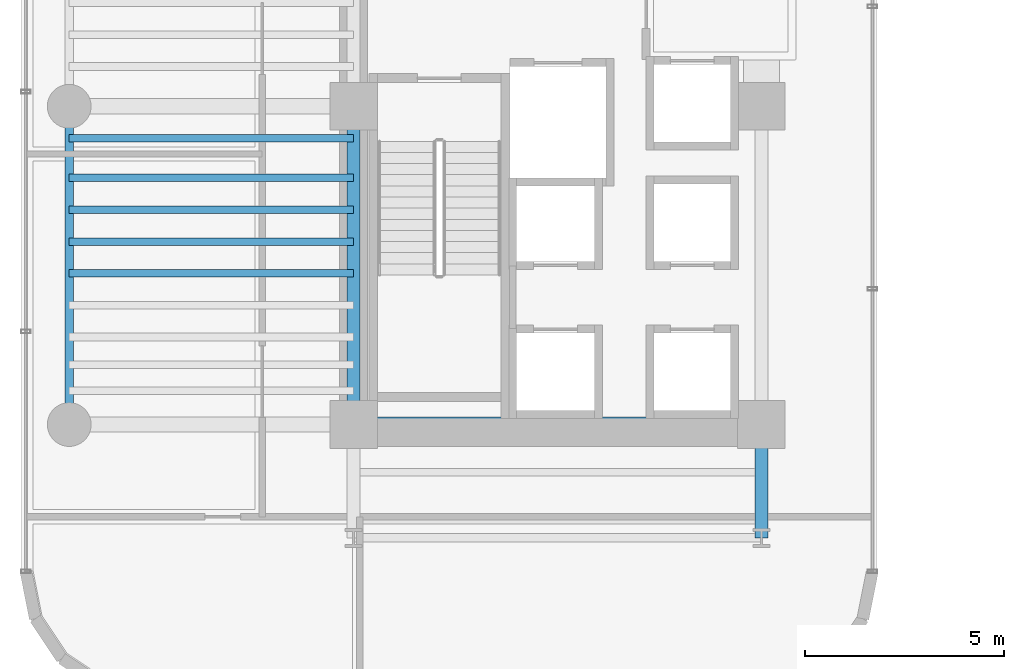
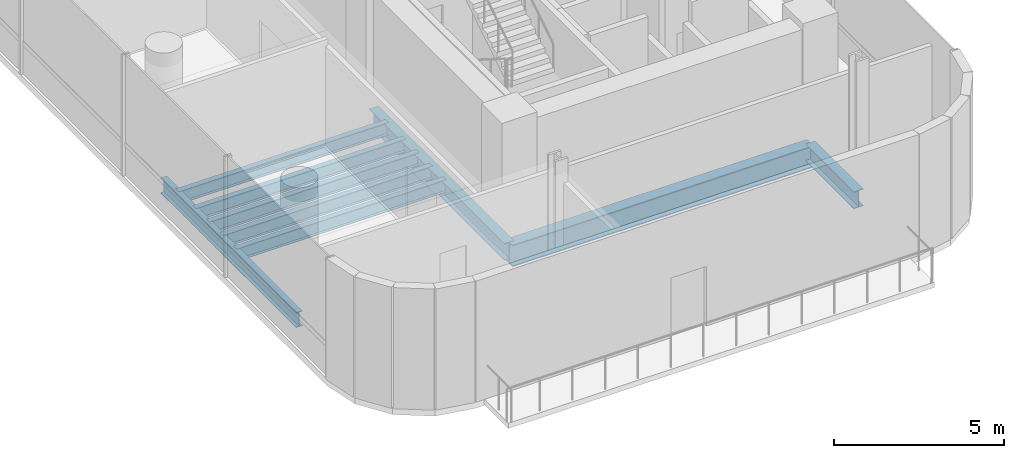
# One storey, part 3 of 32: 9 beams.
"""IFC4 building model written with IfcOpenShell, lengths in metres."""

from ifc_helpers import new_model, si_unit, direction, frame, origin, origin_2d, place, context, subcontext, project, spatial, i_section, extrude, source, transform, mapped, material, material_profile, profile_set, type_object, element, save


model = new_model("IFC4")

# Units and contexts
model_context = context("Model", 3, precision=1e-05, world=origin(), true_north=direction((0.0, 1.0)))
body_context = subcontext(model_context, "Body", "Model", "MODEL_VIEW")
ifc_project = project(units=[si_unit("LENGTHUNIT", "METRE"), si_unit("AREAUNIT", "SQUARE_METRE"), si_unit("VOLUMEUNIT", "CUBIC_METRE"), si_unit("PLANEANGLEUNIT", "RADIAN"), si_unit("MASSUNIT", "GRAM", prefix="KILO")], contexts=[model_context])

# Site, building, storey
site_placement = place(None, origin())
site = spatial("IfcSite", under=ifc_project, at=site_placement, CompositionType="ELEMENT")
building_placement = place(site_placement, origin())
building = spatial("IfcBuilding", under=site, at=building_placement, Name="Valdorenza Pilgrim Sanctuary Tower", CompositionType="ELEMENT")
storey_placement = place(building_placement, frame((0.0, 0.0, 101.10009765625)))
storey = spatial("IfcBuildingStorey", under=building, at=storey_placement, Name="L25", CompositionType="ELEMENT", Elevation=101.10009765625)

# Beams
ifc_material = material(Name="Steel ASTM A992 Grade 50", Category="steel")
ifc_material_profile_1 = material_profile(ifc_material, i_section(OverallWidth=0.214111328125, OverallDepth=0.549072265625, WebThickness=0.0146484375, FlangeThickness=0.023681640625, at=origin_2d()), Name="W21X93")
ifc_profile_set_1 = profile_set([ifc_material_profile_1], Name="Steel ASTM A992 Grade 50")
beam_type_1 = type_object("IfcBeamType", Name="STR-BM-SPN-W21A", PredefinedType="SPANDREL", material=ifc_profile_set_1)
shared_shape_1 = source(origin(), body_context, "Body", "SweptSolid", [
    extrude(i_section(OverallWidth=0.214111328125, OverallDepth=0.549072265625, WebThickness=0.0146484375, FlangeThickness=0.023681640625, at=origin_2d()), origin(), (0.0, 0.0, 1.0), 8.0),
])
beam_1_placement = place(storey_placement, frame((-29.800048828125, -10.60009765625, -0.5146484375), z_axis=(0.0, 1.0, 0.0), x_axis=(-1.0, 0.0, 0.0)))
element("IfcBeam", 1, at=beam_1_placement, inside=storey, type_object=beam_type_1, Name="L25 Spandrel Beam WA-W-S1M0", PredefinedType="SPANDREL", context=body_context, shape_type="MappedRepresentation", body=[
    mapped(shared_shape_1, transform((0.0, 0.0, 0.0), x_axis=(1.0, 0.0, 0.0), y_axis=(0.0, 1.0, 0.0), z_axis=(0.0, 0.0, 1.0), scale=1.0)),
])
ifc_material_profile_2 = material_profile(ifc_material, i_section(OverallWidth=0.323974609375, OverallDepth=0.611083984375, WebThickness=0.0126953125, FlangeThickness=0.01904296875, at=origin_2d()), Name="W24X104")
ifc_profile_set_2 = profile_set([ifc_material_profile_2], Name="Steel ASTM A992 Grade 50")
beam_type_2 = type_object("IfcBeamType", Name="STR-BM-GRD-W24B", PredefinedType="BEAM", material=ifc_profile_set_2)
shared_shape_2 = source(origin(), body_context, "Body", "SweptSolid", [
    extrude(i_section(OverallWidth=0.323974609375, OverallDepth=0.611083984375, WebThickness=0.0126953125, FlangeThickness=0.01904296875, at=origin_2d()), origin(), (0.0, 0.0, 1.0), 8.0),
])
beam_2_placement = place(storey_placement, frame((-22.64990234375, -10.60009765625, -0.545654296875), z_axis=(0.0, 1.0, 0.0), x_axis=(-1.0, 0.0, 0.0)))
element("IfcBeam", 2, at=beam_2_placement, inside=storey, type_object=beam_type_2, Name="L25 Core Tie Girder CA-W-S1M0", PredefinedType="BEAM", context=body_context, shape_type="MappedRepresentation", body=[
    mapped(shared_shape_2, transform((0.0, 0.0, 0.0), x_axis=(1.0, 0.0, 0.0), y_axis=(0.0, 1.0, 0.0), z_axis=(0.0, 0.0, 1.0), scale=1.0)),
])
shared_shape_3 = source(origin(), body_context, "Body", "SweptSolid", [
    extrude(i_section(OverallWidth=0.323974609375, OverallDepth=0.611083984375, WebThickness=0.0126953125, FlangeThickness=0.01904296875, at=origin_2d()), origin(), (0.0, 0.0, 1.0), 2.849853515625),
])
beam_3_placement = place(storey_placement, frame((-12.39990234375, -13.449951171875, -0.545654296875), z_axis=(0.0, 1.0, 0.0), x_axis=(-1.0, 0.0, 0.0)))
element("IfcBeam", 3, at=beam_3_placement, inside=storey, type_object=beam_type_2, Name="L25 Floor Girder WA-S-LE", PredefinedType="BEAM", context=body_context, shape_type="MappedRepresentation", body=[
    mapped(shared_shape_3, transform((0.0, 0.0, 0.0), x_axis=(1.0, 0.0, 0.0), y_axis=(0.0, 1.0, 0.0), z_axis=(0.0, 0.0, 1.0), scale=1.0)),
])
ifc_material_profile_3 = material_profile(ifc_material, i_section(OverallWidth=0.382080078125, OverallDepth=0.779052734375, WebThickness=0.01806640625, FlangeThickness=0.030029296875, at=origin_2d()), Name="W30X191")
ifc_profile_set_3 = profile_set([ifc_material_profile_3], Name="Steel ASTM A992 Grade 50")
beam_type_3 = type_object("IfcBeamType", Name="STR-BM-GRD-W30", PredefinedType="BEAM", material=ifc_profile_set_3)
shared_shape_4 = source(origin(), body_context, "Body", "SweptSolid", [
    extrude(i_section(OverallWidth=0.382080078125, OverallDepth=0.779052734375, WebThickness=0.01806640625, FlangeThickness=0.030029296875, at=origin_2d()), origin(), (0.0, 0.0, 1.0), 10.25),
])
beam_4_placement = place(storey_placement, frame((-22.64990234375, -10.60009765625, -0.629638671875), z_axis=(1.0, 0.0, 0.0), x_axis=(0.0, 1.0, 0.0)))
element("IfcBeam", 4, at=beam_4_placement, inside=storey, type_object=beam_type_3, Name="L25 Floor Girder CA-XC-S1", PredefinedType="BEAM", context=body_context, shape_type="MappedRepresentation", body=[
    mapped(shared_shape_4, transform((0.0, 0.0, 0.0), x_axis=(1.0, 0.0, 0.0), y_axis=(0.0, 1.0, 0.0), z_axis=(0.0, 0.0, 1.0), scale=1.0)),
])
ifc_material_profile_4 = material_profile(ifc_material, i_section(OverallWidth=0.19091796875, OverallDepth=0.45703125, WebThickness=0.009033203125, FlangeThickness=0.014404296875, at=origin_2d()), Name="W18X50")
ifc_profile_set_4 = profile_set([ifc_material_profile_4], Name="Steel ASTM A992 Grade 50")
beam_type_4 = type_object("IfcBeamType", Name="STR-BM-JST-W18B", PredefinedType="JOIST", material=ifc_profile_set_4)
shared_shape_5 = source(origin(), body_context, "Body", "SweptSolid", [
    extrude(i_section(OverallWidth=0.19091796875, OverallDepth=0.45703125, WebThickness=0.009033203125, FlangeThickness=0.014404296875, at=origin_2d()), origin(), (0.0, 0.0, 1.0), 7.150146484375),
])
for number, where, z_axis, x_axis, name in (
    (5, (-29.800048828125, -6.800048828125, -0.468505859375), (1.0, 0.0, 0.0), (0.0, 1.0, 0.0), "L25 Composite Floor Joist JST-WA-5"),
    (6, (-29.800048828125, -6.0, -0.468505859375), (1.0, 0.0, 0.0), (0.0, 1.0, 0.0), "L25 Composite Floor Joist JST-WA-6"),
    (7, (-29.800048828125, -5.199951171875, -0.468505859375), (1.0, 0.0, 0.0), (0.0, 1.0, 0.0), "L25 Composite Floor Joist JST-WA-7"),
    (8, (-29.800048828125, -4.39990234375, -0.468505859375), (1.0, 0.0, 0.0), (0.0, 1.0, 0.0), "L25 Composite Floor Joist JST-WA-8"),
    (9, (-29.800048828125, -3.39990234375, -0.468505859375), (1.0, 0.0, 0.0), (0.0, 1.0, 0.0), "L25 Composite Floor Joist JST-WA-9"),
):
    element("IfcBeam", number, at=place(storey_placement, frame(where, z_axis=z_axis, x_axis=x_axis)), inside=storey, type_object=beam_type_4, Name=name, PredefinedType="JOIST", context=body_context, shape_type="MappedRepresentation", body=[
        mapped(shared_shape_5, transform((0.0, 0.0, 0.0), x_axis=(1.0, 0.0, 0.0), y_axis=(0.0, 1.0, 0.0), z_axis=(0.0, 0.0, 1.0), scale=1.0)),
    ])

save(model, "model.ifc")
